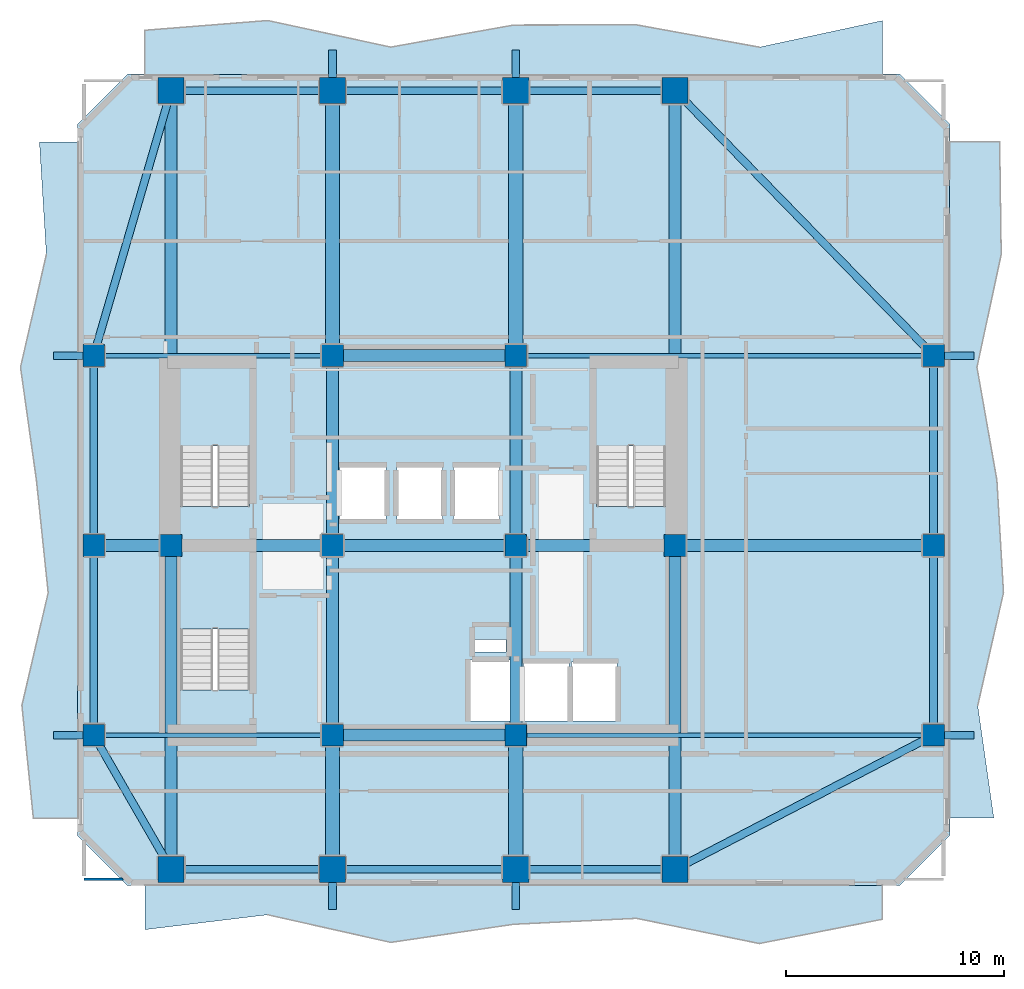
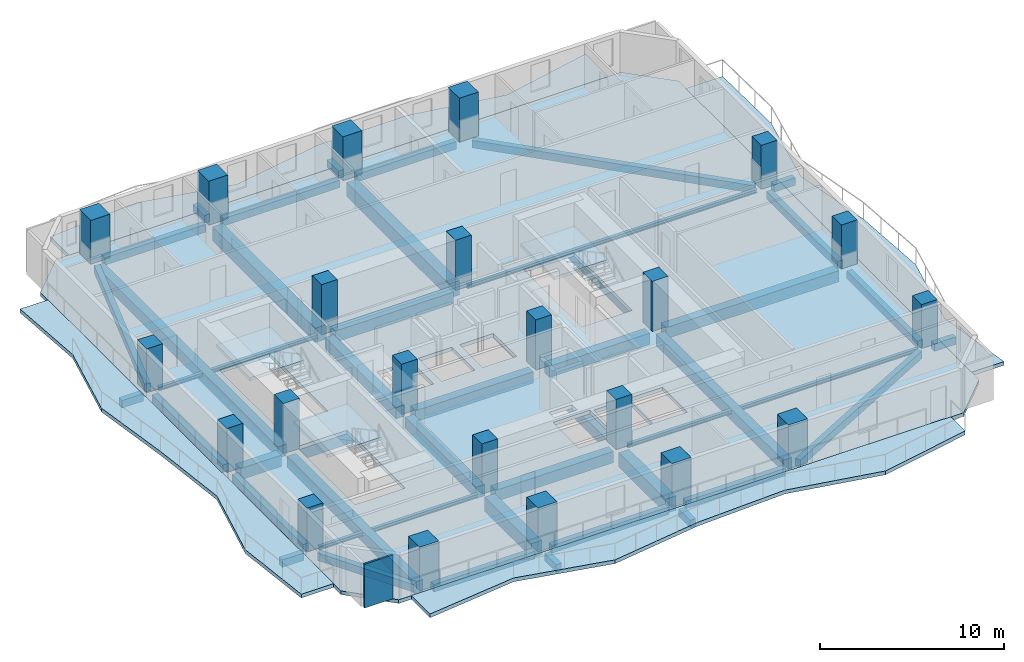
# One storey, part 1 of 9: 45 beams, 22 columns, 8 slabs, 1 wall, 3 elements without a shape of their own.
"""IFC4 building model written with IfcOpenShell, lengths in metres."""

import ifcopenshell
import ifcopenshell.guid

model = None  # the IFC model being written
_history = None  # IfcOwnerHistory: only IFC2X3 demands one
_inside = {}  # id of a spatial element -> (the spatial element, [elements in it])
_under = {}  # id of a project, library or spatial element -> (it, [spatial elements below it])
_declared = {}  # id of a project -> (the project, [libraries it declares])
_typed = {}  # id of a type object -> (the type object, [elements of that type])
_made_of = {}  # id of a material, layer set ... -> (it, [elements and type objects made of it])


def new_model(schema):
    """Start an empty IFC model of exactly this schema.

    Asked for "IFC4X3", IfcOpenShell would pick the latest addendum, in which some entities
    have other attributes; the version numbers below select the first issue.
    IFC2X3 requires an IfcOwnerHistory on every rooted entity: one is made here for all.
    """
    global model, _history
    if schema == "IFC4X3":
        model = ifcopenshell.file(schema_version=(4, 3, 0, 0))
    else:
        model = ifcopenshell.file(schema=schema)
    _inside.clear()
    _under.clear()
    _declared.clear()
    _typed.clear()
    _made_of.clear()
    _history = None
    if model.schema == "IFC2X3":
        org = make("IfcOrganization", Name="unknown")
        user = make(
            "IfcPersonAndOrganization",
            ThePerson=make("IfcPerson", FamilyName="unknown"),
            TheOrganization=org,
        )
        app = make(
            "IfcApplication",
            ApplicationDeveloper=org,
            Version="unknown",
            ApplicationFullName="unknown",
            ApplicationIdentifier="unknown",
        )
        _history = make(
            "IfcOwnerHistory",
            OwningUser=user,
            OwningApplication=app,
            ChangeAction="ADDED",
            CreationDate=0,
        )
    return model


def make(cls, **values):
    """One entity of the class cls with the attributes given. An attribute that is None is left unset."""
    return model.create_entity(
        cls, **{name: value for name, value in values.items() if value is not None}
    )


def rooted(cls, **values):
    """An entity with a GlobalId (a new one), such as an element, a storey or a relation."""
    return make(cls, GlobalId=ifcopenshell.guid.new(), OwnerHistory=_history, **values)


def si_unit(unit_type, name, prefix=None):
    """IfcSIUnit, for example si_unit("LENGTHUNIT", "METRE", prefix="MILLI")."""
    return make("IfcSIUnit", UnitType=unit_type, Prefix=prefix, Name=name)


def assignment(units):
    """IfcUnitAssignment: the units of a project."""
    return None if units is None else make("IfcUnitAssignment", Units=units)


def point(xyz):
    """IfcCartesianPoint."""
    return None if xyz is None else make("IfcCartesianPoint", Coordinates=xyz)


def direction(xyz):
    """IfcDirection."""
    return None if xyz is None else make("IfcDirection", DirectionRatios=xyz)


def frame(location, z_axis=None, x_axis=None):
    """IfcAxis2Placement3D, a coordinate frame: its origin and axes. An axis left out is left unset."""
    return make(
        "IfcAxis2Placement3D",
        Location=point(location),
        Axis=direction(z_axis),
        RefDirection=direction(x_axis),
    )


def frame_2d(location, x_axis=None):
    """IfcAxis2Placement2D, a coordinate frame in the plane: its origin and x axis."""
    return make(
        "IfcAxis2Placement2D", Location=point(location), RefDirection=direction(x_axis)
    )


def origin():
    """The frame at (0, 0, 0) with its axes left unset."""
    return frame((0.0, 0.0, 0.0))


def origin_2d():
    """The frame at (0, 0) in the plane with its x axis left unset."""
    return frame_2d((0.0, 0.0))


def place(relative_to, where):
    """IfcLocalPlacement: puts the frame where relative to a parent placement (None: the world)."""
    return make(
        "IfcLocalPlacement", PlacementRelTo=relative_to, RelativePlacement=where
    )


def context(
    kind, dimensions, precision=None, world=None, true_north=None, identifier=None
):
    """IfcGeometricRepresentationContext, for example the 3D "Model" context."""
    return make(
        "IfcGeometricRepresentationContext",
        ContextIdentifier=identifier,
        ContextType=kind,
        CoordinateSpaceDimension=dimensions,
        Precision=precision,
        WorldCoordinateSystem=world,
        TrueNorth=true_north,
    )


def subcontext(parent, identifier, kind, view, scale=None):
    """IfcGeometricRepresentationSubContext, for example "Body" below "Model"."""
    return make(
        "IfcGeometricRepresentationSubContext",
        ContextIdentifier=identifier,
        ContextType=kind,
        ParentContext=parent,
        TargetScale=scale,
        TargetView=view,
    )


def project(units=None, contexts=None):
    """IfcProject with its units and contexts."""
    return rooted(
        "IfcProject",
        Name="project",
        RepresentationContexts=contexts,
        UnitsInContext=assignment(units),
    )


def spatial(cls, under=None, at=None, **own):
    """A site, building, storey or space (cls), placed at a placement, below another one or the project."""
    s = rooted(cls, ObjectPlacement=at, **own)
    if under is not None:
        _under.setdefault(under.id(), (under, []))[1].append(s)
    return s


def polyline(points):
    """IfcPolyline through the points."""
    return make("IfcPolyline", Points=[point(p) for p in points])


def profile(cls, at=None, kind="AREA", **sizes):
    """A parametric profile (cls). Its sizes go by their IFC names, for example OverallWidth=200.0."""
    return make(cls, ProfileType=kind, Position=at, **sizes)


def rectangle(**sizes):
    """IfcRectangleProfileDef."""
    return profile("IfcRectangleProfileDef", **sizes)


def i_section(**sizes):
    """IfcIShapeProfileDef."""
    return profile("IfcIShapeProfileDef", **sizes)


def outline(outer, holes=None, kind="AREA"):
    """IfcArbitraryClosedProfileDef: a profile drawn as a closed curve; with holes, ...WithVoids."""
    if holes is None:
        return make("IfcArbitraryClosedProfileDef", ProfileType=kind, OuterCurve=outer)
    return make(
        "IfcArbitraryProfileDefWithVoids",
        ProfileType=kind,
        OuterCurve=outer,
        InnerCurves=holes,
    )


def extrude(swept, where, along, depth):
    """IfcExtrudedAreaSolid: the profile swept, set in the frame where, extruded along a direction by depth."""
    return make(
        "IfcExtrudedAreaSolid",
        SweptArea=swept,
        Position=where,
        ExtrudedDirection=direction(along),
        Depth=depth,
    )


def shape(context_of_items, identifier, shape_type, items):
    """IfcShapeRepresentation: the items that make up one representation, for example the "Body"."""
    return make(
        "IfcShapeRepresentation",
        ContextOfItems=context_of_items,
        RepresentationIdentifier=identifier,
        RepresentationType=shape_type,
        Items=items,
    )


def material(Name=None, Category=None):
    """IfcMaterial."""
    return make("IfcMaterial", Name=Name, Category=Category)


def layer(
    of_material, thickness, ventilated=None, Name=None, Category=None, Priority=None
):
    """IfcMaterialLayer: one layer of a wall or slab, of a material (None: an air gap)."""
    return make(
        "IfcMaterialLayer",
        Material=of_material,
        LayerThickness=thickness,
        IsVentilated=ventilated,
        Name=Name,
        Category=Category,
        Priority=Priority,
    )


def layer_set(layers, Name=None):
    """IfcMaterialLayerSet."""
    return make("IfcMaterialLayerSet", MaterialLayers=layers, LayerSetName=Name)


def material_profile(
    of_material, cross_section, Name=None, Category=None, Priority=None
):
    """IfcMaterialProfile: a cross section and its material."""
    return make(
        "IfcMaterialProfile",
        Name=Name,
        Material=of_material,
        Profile=cross_section,
        Priority=Priority,
        Category=Category,
    )


def profile_set(profiles, Name=None, composite=None):
    """IfcMaterialProfileSet."""
    return make(
        "IfcMaterialProfileSet",
        Name=Name,
        MaterialProfiles=profiles,
        CompositeProfile=composite,
    )


def made_of(thing, what):
    """Note that an element or type object is made of a material, layer set ...; save() writes the relation."""
    if what is not None:
        _made_of.setdefault(what.id(), (what, []))[1].append(thing)
    return thing


def type_object(cls, material=None, **own):
    """A type object (cls), such as IfcWallType, which elements share."""
    return made_of(rooted(cls, **own), material)


def element(
    cls,
    number,
    at=None,
    inside=None,
    cuts=None,
    type_object=None,
    material=None,
    context=None,
    identifier="Body",
    shape_type=None,
    held_by="IfcProductDefinitionShape",
    body=None,
    shapes=None,
    **own,
):
    """One element of the class cls, such as IfcWall. Its Tag is "e" and its number.

    at: its placement. inside: the storey or other place that contains it. cuts: it is an
    opening in that element (IfcRelVoidsElement). A single representation is given by context,
    identifier, shape_type and body (its items); several are given by shapes. held_by: the class
    of the entity that holds the representations. save() writes the other relations.
    """
    e = rooted(cls, Tag="e%d" % number, ObjectPlacement=at, **own)
    if body is not None:
        shapes = [shape(context, identifier, shape_type, body)]
    if shapes is not None:
        e.Representation = make(held_by, Representations=shapes)
    if inside is not None:
        _inside.setdefault(inside.id(), (inside, []))[1].append(e)
    if cuts is not None:
        rooted(
            "IfcRelVoidsElement", RelatingBuildingElement=cuts, RelatedOpeningElement=e
        )
    if type_object is not None:
        _typed.setdefault(type_object.id(), (type_object, []))[1].append(e)
    return made_of(e, material)


def aggregate(whole, parts):
    """IfcRelAggregates: a whole, such as a stair, and the parts it consists of."""
    return rooted("IfcRelAggregates", RelatingObject=whole, RelatedObjects=parts)


def save(model, path):
    """Write the relations noted so far, then the file.

    IfcRelAggregates (storeys below a building ...), IfcRelContainedInSpatialStructure (elements
    in a storey), IfcRelDefinesByType, IfcRelAssociatesMaterial and IfcRelDeclares: one each for
    every whole, place, type object, material and project.
    """
    for whole, parts in _under.values():
        aggregate(whole, parts)
    for where, things in _inside.values():
        rooted(
            "IfcRelContainedInSpatialStructure",
            RelatedElements=things,
            RelatingStructure=where,
        )
    for kind, things in _typed.values():
        rooted("IfcRelDefinesByType", RelatedObjects=things, RelatingType=kind)
    for what, things in _made_of.values():
        rooted("IfcRelAssociatesMaterial", RelatedObjects=things, RelatingMaterial=what)
    for by, libraries in _declared.values():
        rooted("IfcRelDeclares", RelatingContext=by, RelatedDefinitions=libraries)
    model.write(path)


model = new_model("IFC4")

# Units and contexts
model_context = context("Model", 3, precision=1e-05, world=origin(), true_north=direction((0.0, 1.0)))
body_context = subcontext(model_context, "Body", "Model", "MODEL_VIEW")
ifc_project = project(units=[si_unit("LENGTHUNIT", "METRE"), si_unit("AREAUNIT", "SQUARE_METRE"), si_unit("VOLUMEUNIT", "CUBIC_METRE"), si_unit("PLANEANGLEUNIT", "RADIAN"), si_unit("MASSUNIT", "GRAM", prefix="KILO")], contexts=[model_context])

# Site, building, storey
site_placement = place(None, origin())
site = spatial("IfcSite", under=ifc_project, at=site_placement, CompositionType="ELEMENT")
building_placement = place(site_placement, origin())
building = spatial("IfcBuilding", under=site, at=building_placement, Name="Solanera Arch Residences", CompositionType="ELEMENT")
storey_placement = place(building_placement, frame((0.0, 0.0, 162.52001953125)))
storey = spatial("IfcBuildingStorey", under=building, at=storey_placement, Name="L47", CompositionType="ELEMENT", Elevation=162.52001953125)

# Columns
ifc_material_1 = material(Name="Concrete C55/67 (f'c = 60 MPa)", Category="concrete")
ifc_material_profile_1 = material_profile(ifc_material_1, rectangle(XDim=1.0, YDim=1.0, at=origin_2d()))
ifc_profile_set_1 = profile_set([ifc_material_profile_1], Name="Concrete C55/67 (f'c = 60 MPa)")
column_type_1 = type_object("IfcColumnType", Name="Structural Column RC-COL-1000X1000", PredefinedType="COLUMN", material=ifc_profile_set_1)
for number, where, z_axis, x_axis, name in (
    (1, (20.800048828125, 22.0, 0.0), (0.0, 0.0, 1.0), (1.0, 0.0, 0.0), "COL-L47-CB-SW"),
    (2, (29.199951171875, 22.0, 0.0), (0.0, 0.0, 1.0), (1.0, 0.0, 0.0), "COL-L47-CB-SE"),
    (3, (20.800048828125, 39.39990234375, 0.0), (0.0, 0.0, 1.0), (1.0, 0.0, 0.0), "COL-L47-CB-NW"),
    (4, (29.199951171875, 39.39990234375, 0.0), (0.0, 0.0, 1.0), (1.0, 0.0, 0.0), "COL-L47-CB-NE"),
    (5, (13.39990234375, 30.699951171875, 0.0), (0.0, 0.0, 1.0), (1.0, 0.0, 0.0), "COL-L47-CB-WW"),
    (6, (36.5, 30.699951171875, 0.0), (0.0, 0.0, 1.0), (1.0, 0.0, 0.0), "COL-L47-CB-EE"),
    (7, (20.800048828125, 30.699951171875, 0.0), (0.0, 0.0, 1.0), (1.0, 0.0, 0.0), "COL-L47-CORE-W"),
    (8, (29.199951171875, 30.699951171875, 0.0), (0.0, 0.0, 1.0), (1.0, 0.0, 0.0), "COL-L47-CORE-E"),
):
    element("IfcColumn", number, at=place(storey_placement, frame(where, z_axis=z_axis, x_axis=x_axis)), inside=storey, type_object=column_type_1, Name=name, PredefinedType="COLUMN", context=body_context, shape_type="SweptSolid", body=[
        extrude(rectangle(XDim=1.0, YDim=1.0, at=origin_2d()), origin(), (0.0, 0.0, 1.0), 3.320068359375),
    ])
for number, where, z_axis, x_axis, name in (
    (9, (9.85009765625, 22.0, 0.0), (0.0, 0.0, 1.0), (1.0, 0.0, 0.0), "COL-L47-TWR-09"),
    (10, (48.35009765625, 22.0, 0.0), (0.0, 0.0, 1.0), (1.0, 0.0, 0.0), "COL-L47-TWR-10"),
    (11, (9.85009765625, 30.699951171875, 0.0), (0.0, 0.0, 1.0), (1.0, 0.0, 0.0), "COL-L47-TWR-11"),
    (12, (48.35009765625, 30.699951171875, 0.0), (0.0, 0.0, 1.0), (1.0, 0.0, 0.0), "COL-L47-TWR-12"),
    (13, (9.85009765625, 39.39990234375, 0.0), (0.0, 0.0, 1.0), (1.0, 0.0, 0.0), "COL-L47-TWR-13"),
    (14, (48.35009765625, 39.39990234375, 0.0), (0.0, 0.0, 1.0), (1.0, 0.0, 0.0), "COL-L47-TWR-14"),
):
    element("IfcColumn", number, at=place(storey_placement, frame(where, z_axis=z_axis, x_axis=x_axis)), inside=storey, type_object=column_type_1, Name=name, PredefinedType="COLUMN", context=body_context, shape_type="SweptSolid", body=[
        extrude(rectangle(XDim=1.0, YDim=1.0, at=origin_2d()), origin(), (0.0, 0.0, 1.0), 2.89990234375),
    ])
ifc_material_2 = material(Name="Concrete C55/67 (f'c = 60 MPa)", Category="concrete")
ifc_material_profile_2 = material_profile(ifc_material_2, rectangle(XDim=1.199951171875, YDim=1.199951171875, at=origin_2d()))
ifc_profile_set_2 = profile_set([ifc_material_profile_2], Name="Concrete C55/67 (f'c = 60 MPa)")
column_type_2 = type_object("IfcColumnType", Name="Structural Column RC-COL-1200X1200", PredefinedType="COLUMN", material=ifc_profile_set_2)
for number, where, z_axis, x_axis, name in (
    (15, (13.39990234375, 15.85009765625, 0.0), (0.0, 0.0, 1.0), (1.0, 0.0, 0.0), "COL-L47-TWR-01"),
    (16, (13.39990234375, 51.550048828125, 0.0), (0.0, 0.0, 1.0), (1.0, 0.0, 0.0), "COL-L47-TWR-02"),
    (17, (20.800048828125, 15.85009765625, 0.0), (0.0, 0.0, 1.0), (1.0, 0.0, 0.0), "COL-L47-TWR-03"),
    (18, (20.800048828125, 51.550048828125, 0.0), (0.0, 0.0, 1.0), (1.0, 0.0, 0.0), "COL-L47-TWR-04"),
    (19, (29.199951171875, 15.85009765625, 0.0), (0.0, 0.0, 1.0), (1.0, 0.0, 0.0), "COL-L47-TWR-05"),
    (20, (29.199951171875, 51.550048828125, 0.0), (0.0, 0.0, 1.0), (1.0, 0.0, 0.0), "COL-L47-TWR-06"),
    (21, (36.5, 15.85009765625, 0.0), (0.0, 0.0, 1.0), (1.0, 0.0, 0.0), "COL-L47-TWR-07"),
    (22, (36.5, 51.550048828125, 0.0), (0.0, 0.0, 1.0), (1.0, 0.0, 0.0), "COL-L47-TWR-08"),
):
    element("IfcColumn", number, at=place(storey_placement, frame(where, z_axis=z_axis, x_axis=x_axis)), inside=storey, type_object=column_type_2, Name=name, PredefinedType="COLUMN", context=body_context, shape_type="SweptSolid", body=[
        extrude(rectangle(XDim=1.199951171875, YDim=1.199951171875, at=origin_2d()), origin(), (0.0, 0.0, 1.0), 2.89990234375),
    ])

# Beams
ifc_material_3 = material(Name="Concrete C40/50 (f'c = 45 MPa)", Category="concrete")
ifc_material_profile_3 = material_profile(ifc_material_3, rectangle(XDim=0.35009765625, YDim=0.5, at=origin_2d()))
ifc_profile_set_3 = profile_set([ifc_material_profile_3], Name="Concrete C40/50 (f'c = 45 MPa)")
beam_type_1 = type_object("IfcBeamType", Name="BM-BALC-RIB", PredefinedType="BEAM", material=ifc_profile_set_3)
for number, where, z_axis, x_axis, name in (
    (23, (20.800048828125, 14.0, -0.5), (0.0, 1.0, 0.0), (-1.0, 0.0, 0.0), "BM-L47-BRIB-S1"),
    (24, (29.199951171875, 14.0, -0.5), (0.0, 1.0, 0.0), (-1.0, 0.0, 0.0), "BM-L47-BRIB-S2"),
    (25, (20.800048828125, 52.14990234375, -0.5), (0.0, 1.0, 0.0), (-1.0, 0.0, 0.0), "BM-L47-BRIB-N1"),
    (26, (29.199951171875, 52.14990234375, -0.5), (0.0, 1.0, 0.0), (-1.0, 0.0, 0.0), "BM-L47-BRIB-N2"),
):
    element("IfcBeam", number, at=place(storey_placement, frame(where, z_axis=z_axis, x_axis=x_axis)), inside=storey, type_object=beam_type_1, Name=name, PredefinedType="BEAM", context=body_context, shape_type="SweptSolid", body=[
        extrude(rectangle(XDim=0.35009765625, YDim=0.5, at=origin_2d()), origin(), (0.0, 0.0, 1.0), 1.25),
    ])
for number, where, z_axis, x_axis, name in (
    (27, (48.85009765625, 22.0, -0.5), (1.0, 0.0, 0.0), (0.0, 1.0, 0.0), "BM-L47-BRIB-E1"),
    (28, (48.85009765625, 39.39990234375, -0.5), (1.0, 0.0, 0.0), (0.0, 1.0, 0.0), "BM-L47-BRIB-E2"),
):
    element("IfcBeam", number, at=place(storey_placement, frame(where, z_axis=z_axis, x_axis=x_axis)), inside=storey, type_object=beam_type_1, Name=name, PredefinedType="BEAM", context=body_context, shape_type="SweptSolid", body=[
        extrude(rectangle(XDim=0.35009765625, YDim=0.5, at=origin_2d()), origin(), (0.0, 0.0, 1.0), 1.349853515625),
    ])
for number, where, z_axis, x_axis, name in (
    (29, (8.0, 22.0, -0.5), (1.0, 0.0, 0.0), (0.0, 1.0, 0.0), "BM-L47-BRIB-W1"),
    (30, (8.0, 39.39990234375, -0.5), (1.0, 0.0, 0.0), (0.0, 1.0, 0.0), "BM-L47-BRIB-W2"),
):
    element("IfcBeam", number, at=place(storey_placement, frame(where, z_axis=z_axis, x_axis=x_axis)), inside=storey, type_object=beam_type_1, Name=name, PredefinedType="BEAM", context=body_context, shape_type="SweptSolid", body=[
        extrude(rectangle(XDim=0.35009765625, YDim=0.5, at=origin_2d()), origin(), (0.0, 0.0, 1.0), 1.35009765625),
    ])
ifc_material_4 = material(Name="Concrete C40/50 (f'c = 45 MPa)", Category="concrete")
ifc_material_profile_4 = material_profile(ifc_material_4, rectangle(XDim=0.550048828125, YDim=0.75, at=origin_2d()))
ifc_profile_set_4 = profile_set([ifc_material_profile_4], Name="Concrete C40/50 (f'c = 45 MPa)")
beam_type_2 = type_object("IfcBeamType", Name="Primary Beam RC-BM-550X750", PredefinedType="BEAM", material=ifc_profile_set_4)
beam_1_placement = place(storey_placement, frame((20.800048828125, 22.50390625, -0.614990234375), z_axis=(0.0, 1.0, 0.0), x_axis=(-1.0, 0.0, 0.0)))
element("IfcBeam", 31, at=beam_1_placement, inside=storey, type_object=beam_type_2, Name="BM-L47-CC-S-208", PredefinedType="BEAM", context=body_context, shape_type="SweptSolid", body=[
    extrude(rectangle(XDim=0.550048828125, YDim=0.75, at=origin_2d()), origin(), (0.0, 0.0, 1.0), 7.692138671875),
])
beam_2_placement = place(storey_placement, frame((20.800048828125, 31.2041015625, -0.614990234375), z_axis=(0.0, 1.0, 0.0), x_axis=(-1.0, 0.0, 0.0)))
element("IfcBeam", 32, at=beam_2_placement, inside=storey, type_object=beam_type_2, Name="BM-L47-CC-N-208", PredefinedType="BEAM", context=body_context, shape_type="SweptSolid", body=[
    extrude(rectangle(XDim=0.550048828125, YDim=0.75, at=origin_2d()), origin(), (0.0, 0.0, 1.0), 7.69189453125),
])
beam_3_placement = place(storey_placement, frame((29.199951171875, 22.50390625, -0.614990234375), z_axis=(0.0, 1.0, 0.0), x_axis=(-1.0, 0.0, 0.0)))
element("IfcBeam", 33, at=beam_3_placement, inside=storey, type_object=beam_type_2, Name="BM-L47-CC-S-292", PredefinedType="BEAM", context=body_context, shape_type="SweptSolid", body=[
    extrude(rectangle(XDim=0.550048828125, YDim=0.75, at=origin_2d()), origin(), (0.0, 0.0, 1.0), 7.692138671875),
])
beam_4_placement = place(storey_placement, frame((29.199951171875, 31.2041015625, -0.614990234375), z_axis=(0.0, 1.0, 0.0), x_axis=(-1.0, 0.0, 0.0)))
element("IfcBeam", 34, at=beam_4_placement, inside=storey, type_object=beam_type_2, Name="BM-L47-CC-N-292", PredefinedType="BEAM", context=body_context, shape_type="SweptSolid", body=[
    extrude(rectangle(XDim=0.550048828125, YDim=0.75, at=origin_2d()), origin(), (0.0, 0.0, 1.0), 7.69189453125),
])
for number, where, z_axis, x_axis, name in (
    (35, (21.303955078125, 22.0, -0.614990234375), (1.0, 0.0, 0.0), (0.0, 1.0, 0.0), "BM-L47-CC-M-220"),
    (36, (21.303955078125, 30.699951171875, -0.614990234375), (1.0, 0.0, 0.0), (0.0, 1.0, 0.0), "BM-L47-CC-M-307"),
    (37, (21.303955078125, 39.39990234375, -0.614990234375), (1.0, 0.0, 0.0), (0.0, 1.0, 0.0), "BM-L47-CC-M-394"),
):
    element("IfcBeam", number, at=place(storey_placement, frame(where, z_axis=z_axis, x_axis=x_axis)), inside=storey, type_object=beam_type_2, Name=name, PredefinedType="BEAM", context=body_context, shape_type="SweptSolid", body=[
        extrude(rectangle(XDim=0.550048828125, YDim=0.75, at=origin_2d()), origin(), (0.0, 0.0, 1.0), 7.39208984375),
    ])
beam_5_placement = place(storey_placement, frame((13.904052734375, 30.699951171875, -0.614990234375), z_axis=(1.0, 0.0, 0.0), x_axis=(0.0, 1.0, 0.0)))
element("IfcBeam", 38, at=beam_5_placement, inside=storey, type_object=beam_type_2, Name="BM-L47-CC-W", PredefinedType="BEAM", context=body_context, shape_type="SweptSolid", body=[
    extrude(rectangle(XDim=0.550048828125, YDim=0.75, at=origin_2d()), origin(), (0.0, 0.0, 1.0), 6.391845703125),
])
beam_6_placement = place(storey_placement, frame((29.7041015625, 30.699951171875, -0.614990234375), z_axis=(1.0, 0.0, 0.0), x_axis=(0.0, 1.0, 0.0)))
element("IfcBeam", 39, at=beam_6_placement, inside=storey, type_object=beam_type_2, Name="BM-L47-CC-E", PredefinedType="BEAM", context=body_context, shape_type="SweptSolid", body=[
    extrude(rectangle(XDim=0.550048828125, YDim=0.75, at=origin_2d()), origin(), (0.0, 0.0, 1.0), 6.2919921875),
])
beam_7_placement = place(storey_placement, frame((13.39990234375, 16.389892578125, -0.614990234375), z_axis=(0.0, 1.0, 0.0), x_axis=(-1.0, 0.0, 0.0)))
element("IfcBeam", 40, at=beam_7_placement, inside=storey, type_object=beam_type_2, Name="BM-L47-RAD-OS-134", PredefinedType="BEAM", context=body_context, shape_type="SweptSolid", body=[
    extrude(rectangle(XDim=0.550048828125, YDim=0.75, at=origin_2d()), origin(), (0.0, 0.0, 1.0), 13.80615234375),
])
beam_8_placement = place(storey_placement, frame((13.39990234375, 31.2041015625, -0.614990234375), z_axis=(0.0, 1.0, 0.0), x_axis=(-1.0, 0.0, 0.0)))
element("IfcBeam", 41, at=beam_8_placement, inside=storey, type_object=beam_type_2, Name="BM-L47-RAD-ON-134", PredefinedType="BEAM", context=body_context, shape_type="SweptSolid", body=[
    extrude(rectangle(XDim=0.550048828125, YDim=0.75, at=origin_2d()), origin(), (0.0, 0.0, 1.0), 19.805908203125),
])
beam_9_placement = place(storey_placement, frame((36.5, 16.389892578125, -0.614990234375), z_axis=(0.0, 1.0, 0.0), x_axis=(-1.0, 0.0, 0.0)))
element("IfcBeam", 42, at=beam_9_placement, inside=storey, type_object=beam_type_2, Name="BM-L47-RAD-OS-365", PredefinedType="BEAM", context=body_context, shape_type="SweptSolid", body=[
    extrude(rectangle(XDim=0.550048828125, YDim=0.75, at=origin_2d()), origin(), (0.0, 0.0, 1.0), 13.80615234375),
])
beam_10_placement = place(storey_placement, frame((36.5, 31.2041015625, -0.614990234375), z_axis=(0.0, 1.0, 0.0), x_axis=(-1.0, 0.0, 0.0)))
element("IfcBeam", 43, at=beam_10_placement, inside=storey, type_object=beam_type_2, Name="BM-L47-RAD-ON-365", PredefinedType="BEAM", context=body_context, shape_type="SweptSolid", body=[
    extrude(rectangle(XDim=0.550048828125, YDim=0.75, at=origin_2d()), origin(), (0.0, 0.0, 1.0), 19.805908203125),
])
beam_11_placement = place(storey_placement, frame((10.35400390625, 30.699951171875, -0.614990234375), z_axis=(1.0, 0.0, 0.0), x_axis=(0.0, 1.0, 0.0)))
element("IfcBeam", 44, at=beam_11_placement, inside=storey, type_object=beam_type_2, Name="BM-L47-RAD-MW", PredefinedType="BEAM", context=body_context, shape_type="SweptSolid", body=[
    extrude(rectangle(XDim=0.550048828125, YDim=0.75, at=origin_2d()), origin(), (0.0, 0.0, 1.0), 2.5419921875),
])
beam_12_placement = place(storey_placement, frame((37.00390625, 30.699951171875, -0.614990234375), z_axis=(1.0, 0.0, 0.0), x_axis=(0.0, 1.0, 0.0)))
element("IfcBeam", 45, at=beam_12_placement, inside=storey, type_object=beam_type_2, Name="BM-L47-RAD-ME", PredefinedType="BEAM", context=body_context, shape_type="SweptSolid", body=[
    extrude(rectangle(XDim=0.550048828125, YDim=0.75, at=origin_2d()), origin(), (0.0, 0.0, 1.0), 10.842041015625),
])
ifc_material_5 = material(Name="Concrete C40/50 (f'c = 45 MPa)", Category="concrete")
ifc_material_profile_5 = material_profile(ifc_material_5, rectangle(XDim=0.64990234375, YDim=0.949951171875, at=origin_2d()))
ifc_profile_set_5 = profile_set([ifc_material_profile_5], Name="Concrete C40/50 (f'c = 45 MPa)")
beam_type_3 = type_object("IfcBeamType", Name="Primary Beam RC-BM-650X950", PredefinedType="BEAM", material=ifc_profile_set_5)
beam_13_placement = place(storey_placement, frame((20.800048828125, 16.389892578125, -0.715087890625), z_axis=(0.0, 1.0, 0.0), x_axis=(-1.0, 0.0, 0.0)))
element("IfcBeam", 46, at=beam_13_placement, inside=storey, type_object=beam_type_3, Name="BM-L47-RAD-S-208", PredefinedType="BEAM", context=body_context, shape_type="SweptSolid", body=[
    extrude(rectangle(XDim=0.64990234375, YDim=0.949951171875, at=origin_2d()), origin(), (0.0, 0.0, 1.0), 5.106201171875),
])
beam_14_placement = place(storey_placement, frame((20.800048828125, 39.904052734375, -0.715087890625), z_axis=(0.0, 1.0, 0.0), x_axis=(-1.0, 0.0, 0.0)))
element("IfcBeam", 47, at=beam_14_placement, inside=storey, type_object=beam_type_3, Name="BM-L47-RAD-N-208", PredefinedType="BEAM", context=body_context, shape_type="SweptSolid", body=[
    extrude(rectangle(XDim=0.64990234375, YDim=0.949951171875, at=origin_2d()), origin(), (0.0, 0.0, 1.0), 11.10595703125),
])
beam_15_placement = place(storey_placement, frame((29.199951171875, 16.389892578125, -0.715087890625), z_axis=(0.0, 1.0, 0.0), x_axis=(-1.0, 0.0, 0.0)))
element("IfcBeam", 48, at=beam_15_placement, inside=storey, type_object=beam_type_3, Name="BM-L47-RAD-S-292", PredefinedType="BEAM", context=body_context, shape_type="SweptSolid", body=[
    extrude(rectangle(XDim=0.64990234375, YDim=0.949951171875, at=origin_2d()), origin(), (0.0, 0.0, 1.0), 5.106201171875),
])
beam_16_placement = place(storey_placement, frame((29.199951171875, 39.904052734375, -0.715087890625), z_axis=(0.0, 1.0, 0.0), x_axis=(-1.0, 0.0, 0.0)))
element("IfcBeam", 49, at=beam_16_placement, inside=storey, type_object=beam_type_3, Name="BM-L47-RAD-N-292", PredefinedType="BEAM", context=body_context, shape_type="SweptSolid", body=[
    extrude(rectangle(XDim=0.64990234375, YDim=0.949951171875, at=origin_2d()), origin(), (0.0, 0.0, 1.0), 11.10595703125),
])
ifc_material_6 = material(Name="Steel S355 (ASTM A992 / A572 Grade 50)", Category="steel")
ifc_material_profile_6 = material_profile(ifc_material_6, i_section(OverallWidth=0.201904296875, OverallDepth=0.2470703125, WebThickness=0.00732421875, FlangeThickness=0.010986328125, at=origin_2d()))
ifc_profile_set_6 = profile_set([ifc_material_profile_6], Name="Steel S355 (ASTM A992 / A572 Grade 50)")
beam_type_4 = type_object("IfcBeamType", Name="Secondary Joist W250X49.1", PredefinedType="JOIST", material=ifc_profile_set_6)
beam_17_placement = place(storey_placement, frame((10.35400390625, 22.0, -0.364013671875), z_axis=(1.0, 0.0, 0.0), x_axis=(0.0, 1.0, 0.0)))
element("IfcBeam", 50, at=beam_17_placement, inside=storey, type_object=beam_type_4, Name="BM-L47-RAD-W-220", PredefinedType="JOIST", context=body_context, shape_type="SweptSolid", body=[
    extrude(i_section(OverallWidth=0.201904296875, OverallDepth=0.2470703125, WebThickness=0.00732421875, FlangeThickness=0.010986328125, at=origin_2d()), origin(), (0.0, 0.0, 1.0), 9.94189453125),
])
beam_18_placement = place(storey_placement, frame((29.7041015625, 22.0, -0.364013671875), z_axis=(1.0, 0.0, 0.0), x_axis=(0.0, 1.0, 0.0)))
element("IfcBeam", 51, at=beam_18_placement, inside=storey, type_object=beam_type_4, Name="BM-L47-RAD-E-220", PredefinedType="JOIST", context=body_context, shape_type="SweptSolid", body=[
    extrude(i_section(OverallWidth=0.201904296875, OverallDepth=0.2470703125, WebThickness=0.00732421875, FlangeThickness=0.010986328125, at=origin_2d()), origin(), (0.0, 0.0, 1.0), 18.141845703125),
])
beam_19_placement = place(storey_placement, frame((10.35400390625, 39.39990234375, -0.364013671875), z_axis=(1.0, 0.0, 0.0), x_axis=(0.0, 1.0, 0.0)))
element("IfcBeam", 52, at=beam_19_placement, inside=storey, type_object=beam_type_4, Name="BM-L47-RAD-W-394", PredefinedType="JOIST", context=body_context, shape_type="SweptSolid", body=[
    extrude(i_section(OverallWidth=0.201904296875, OverallDepth=0.2470703125, WebThickness=0.00732421875, FlangeThickness=0.010986328125, at=origin_2d()), origin(), (0.0, 0.0, 1.0), 9.94189453125),
])
beam_20_placement = place(storey_placement, frame((29.7041015625, 39.39990234375, -0.364013671875), z_axis=(1.0, 0.0, 0.0), x_axis=(0.0, 1.0, 0.0)))
element("IfcBeam", 53, at=beam_20_placement, inside=storey, type_object=beam_type_4, Name="BM-L47-RAD-E-394", PredefinedType="JOIST", context=body_context, shape_type="SweptSolid", body=[
    extrude(i_section(OverallWidth=0.201904296875, OverallDepth=0.2470703125, WebThickness=0.00732421875, FlangeThickness=0.010986328125, at=origin_2d()), origin(), (0.0, 0.0, 1.0), 18.141845703125),
])
ifc_material_7 = material(Name="Concrete C40/50 (f'c = 45 MPa)", Category="concrete")
ifc_material_profile_7 = material_profile(ifc_material_7, rectangle(XDim=0.35009765625, YDim=0.5, at=origin_2d()))
ifc_profile_set_7 = profile_set([ifc_material_profile_7], Name="Concrete C40/50 (f'c = 45 MPa)")
beam_type_5 = type_object("IfcBeamType", Name="Spandrel Beam RC-BM-350X500", PredefinedType="SPANDREL", material=ifc_profile_set_7)
for number, where, z_axis, x_axis, name in (
    (54, (13.93994140625, 15.85009765625, -0.489990234375), (1.0, 0.0, 0.0), (0.0, 1.0, 0.0), "BM-L47-SPN-S-1"),
    (55, (13.93994140625, 51.550048828125, -0.489990234375), (1.0, 0.0, 0.0), (0.0, 1.0, 0.0), "BM-L47-SPN-N-1"),
):
    element("IfcBeam", number, at=place(storey_placement, frame(where, z_axis=z_axis, x_axis=x_axis)), inside=storey, type_object=beam_type_5, Name=name, PredefinedType="SPANDREL", context=body_context, shape_type="SweptSolid", body=[
        extrude(rectangle(XDim=0.35009765625, YDim=0.5, at=origin_2d()), origin(), (0.0, 0.0, 1.0), 6.320068359375),
    ])
for number, where, z_axis, x_axis, name in (
    (56, (21.340087890625, 15.85009765625, -0.489990234375), (1.0, 0.0, 0.0), (0.0, 1.0, 0.0), "BM-L47-SPN-S-2"),
    (57, (21.340087890625, 51.550048828125, -0.489990234375), (1.0, 0.0, 0.0), (0.0, 1.0, 0.0), "BM-L47-SPN-N-2"),
):
    element("IfcBeam", number, at=place(storey_placement, frame(where, z_axis=z_axis, x_axis=x_axis)), inside=storey, type_object=beam_type_5, Name=name, PredefinedType="SPANDREL", context=body_context, shape_type="SweptSolid", body=[
        extrude(rectangle(XDim=0.35009765625, YDim=0.5, at=origin_2d()), origin(), (0.0, 0.0, 1.0), 7.31982421875),
    ])
for number, where, z_axis, x_axis, name in (
    (58, (29.739990234375, 15.85009765625, -0.489990234375), (1.0, 0.0, 0.0), (0.0, 1.0, 0.0), "BM-L47-SPN-S-3"),
    (59, (29.739990234375, 51.550048828125, -0.489990234375), (1.0, 0.0, 0.0), (0.0, 1.0, 0.0), "BM-L47-SPN-N-3"),
):
    element("IfcBeam", number, at=place(storey_placement, frame(where, z_axis=z_axis, x_axis=x_axis)), inside=storey, type_object=beam_type_5, Name=name, PredefinedType="SPANDREL", context=body_context, shape_type="SweptSolid", body=[
        extrude(rectangle(XDim=0.35009765625, YDim=0.5, at=origin_2d()), origin(), (0.0, 0.0, 1.0), 6.219970703125),
    ])
for number, where, z_axis, x_axis, name in (
    (60, (9.85009765625, 22.50390625, -0.489990234375), (0.0, 1.0, 0.0), (-1.0, 0.0, 0.0), "BM-L47-SPN-W-1"),
    (61, (48.35009765625, 22.50390625, -0.489990234375), (0.0, 1.0, 0.0), (-1.0, 0.0, 0.0), "BM-L47-SPN-E-1"),
):
    element("IfcBeam", number, at=place(storey_placement, frame(where, z_axis=z_axis, x_axis=x_axis)), inside=storey, type_object=beam_type_5, Name=name, PredefinedType="SPANDREL", context=body_context, shape_type="SweptSolid", body=[
        extrude(rectangle(XDim=0.35009765625, YDim=0.5, at=origin_2d()), origin(), (0.0, 0.0, 1.0), 7.692138671875),
    ])
for number, where, z_axis, x_axis, name in (
    (62, (9.85009765625, 31.2041015625, -0.489990234375), (0.0, 1.0, 0.0), (-1.0, 0.0, 0.0), "BM-L47-SPN-W-2"),
    (63, (48.35009765625, 31.2041015625, -0.489990234375), (0.0, 1.0, 0.0), (-1.0, 0.0, 0.0), "BM-L47-SPN-E-2"),
):
    element("IfcBeam", number, at=place(storey_placement, frame(where, z_axis=z_axis, x_axis=x_axis)), inside=storey, type_object=beam_type_5, Name=name, PredefinedType="SPANDREL", context=body_context, shape_type="SweptSolid", body=[
        extrude(rectangle(XDim=0.35009765625, YDim=0.5, at=origin_2d()), origin(), (0.0, 0.0, 1.0), 7.69189453125),
    ])
beam_21_placement = place(storey_placement, frame((13.1298828125, 16.318115234375, -0.489990234375), z_axis=(-0.499942442997, 0.866058631785, 0.0), x_axis=(-0.866058631785, -0.499942442997, 0.0)))
element("IfcBeam", 64, at=beam_21_placement, inside=storey, type_object=beam_type_5, Name="BM-L47-SPN-SW", PredefinedType="SPANDREL", context=body_context, shape_type="SweptSolid", body=[
    extrude(rectangle(XDim=0.35009765625, YDim=0.5, at=origin_2d()), origin(), (0.0, 0.0, 1.0), 6.020263671875),
])
beam_22_placement = place(storey_placement, frame((13.2490234375, 51.031982421875, -0.489990234375), z_axis=(-0.280501326348, -0.959853637758, 0.0), x_axis=(0.959853637758, -0.280501326348, 0.0)))
element("IfcBeam", 65, at=beam_22_placement, inside=storey, type_object=beam_type_5, Name="BM-L47-SPN-NW", PredefinedType="SPANDREL", context=body_context, shape_type="SweptSolid", body=[
    extrude(rectangle(XDim=0.35009765625, YDim=0.5, at=origin_2d()), origin(), (0.0, 0.0, 1.0), 11.59326171875),
])
beam_23_placement = place(storey_placement, frame((36.97900390625, 16.09912109375, -0.489990234375), z_axis=(0.887617783335, 0.460580797154, 0.0), x_axis=(-0.460580797154, 0.887617783335, 0.0)))
element("IfcBeam", 66, at=beam_23_placement, inside=storey, type_object=beam_type_5, Name="BM-L47-SPN-SE", PredefinedType="SPANDREL", context=body_context, shape_type="SweptSolid", body=[
    extrude(rectangle(XDim=0.35009765625, YDim=0.5, at=origin_2d()), origin(), (0.0, 0.0, 1.0), 12.271240234375),
])
beam_24_placement = place(storey_placement, frame((36.876953125, 51.1630859375, -0.489990234375), z_axis=(0.698241103512, -0.715862669349, 0.0), x_axis=(0.715862669349, 0.698241103512, 0.0)))
element("IfcBeam", 67, at=beam_24_placement, inside=storey, type_object=beam_type_5, Name="BM-L47-SPN-NE", PredefinedType="SPANDREL", context=body_context, shape_type="SweptSolid", body=[
    extrude(rectangle(XDim=0.35009765625, YDim=0.5, at=origin_2d()), origin(), (0.0, 0.0, 1.0), 15.891357421875),
])

# Slabs
ifc_material_8 = material(Name="Concrete C40/50 (f'c = 45 MPa)", Category="concrete")
ifc_layer_1 = layer(ifc_material_8, 0.25)
ifc_layer_set_1 = layer_set([ifc_layer_1], Name="Concrete C40/50 (f'c = 45 MPa)")
slab_type_1 = type_object("IfcSlabType", Name="Balcony Slab 250", PredefinedType="FLOOR", material=ifc_layer_set_1)
slab_1_placement = place(storey_placement, frame((0.0, 0.0, -0.25)))
element("IfcSlab", 68, at=slab_1_placement, inside=storey, type_object=slab_type_1, Name="L47 S Rippling Brise-Soleil Balcony Slab", PredefinedType="FLOOR", context=body_context, shape_type="SweptSolid", body=[
    extrude(outline(polyline([(12.199951171875, 13.0859375), (17.8330078125, 13.77001953125), (23.467041015625, 12.50390625), (29.10009765625, 13.3349609375), (34.73291015625, 13.60693359375), (40.366943359375, 12.450927734375), (46.0, 13.56201171875), (46.0, 15.1201171875), (12.199951171875, 15.1201171875), (12.199951171875, 13.0859375)])), origin(), (0.0, 0.0, 1.0), 0.25),
])
slab_2_placement = place(storey_placement, frame((0.0, 0.0, -0.25)))
element("IfcSlab", 69, at=slab_2_placement, inside=storey, type_object=slab_type_1, Name="L47 N Rippling Brise-Soleil Balcony Slab", PredefinedType="FLOOR", context=body_context, shape_type="SweptSolid", body=[
    extrude(outline(polyline([(46.0, 54.7548828125), (40.366943359375, 53.5400390625), (34.73291015625, 54.56201171875), (29.10009765625, 54.553955078125), (23.467041015625, 53.5419921875), (17.8330078125, 54.760986328125), (12.199951171875, 54.31396484375), (12.199951171875, 52.280029296875), (46.0, 52.280029296875), (46.0, 54.7548828125)])), origin(), (0.0, 0.0, 1.0), 0.25),
])
slab_3_placement = place(storey_placement, frame((0.0, 0.0, -0.25)))
element("IfcSlab", 70, at=slab_3_placement, inside=storey, type_object=slab_type_1, Name="L47 E Rippling Brise-Soleil Balcony Slab", PredefinedType="FLOOR", context=body_context, shape_type="SweptSolid", body=[
    extrude(outline(polyline([(51.114013671875, 18.199951171875), (50.3740234375, 23.366943359375), (51.554931640625, 28.532958984375), (51.2509765625, 33.699951171875), (50.339111328125, 38.866943359375), (51.449951171875, 44.032958984375), (51.37890625, 49.199951171875), (49.080078125, 49.199951171875), (49.080078125, 18.199951171875), (51.114013671875, 18.199951171875)])), origin(), (0.0, 0.0, 1.0), 0.25),
])
slab_4_placement = place(storey_placement, frame((0.0, 0.0, -0.25)))
element("IfcSlab", 71, at=slab_4_placement, inside=storey, type_object=slab_type_1, Name="L47 W Rippling Brise-Soleil Balcony Slab", PredefinedType="FLOOR", context=body_context, shape_type="SweptSolid", body=[
    extrude(outline(polyline([(7.362060546875, 49.199951171875), (7.680908203125, 44.032958984375), (6.4970703125, 38.866943359375), (7.22509765625, 33.699951171875), (7.764892578125, 28.532958984375), (6.56005859375, 23.366943359375), (7.0859375, 18.199951171875), (9.1201171875, 18.199951171875), (9.1201171875, 49.199951171875), (7.362060546875, 49.199951171875)])), origin(), (0.0, 0.0, 1.0), 0.25),
])

# Stair, slab
ifc_material_9 = material(Name="Concrete C40/50 (f'c = 45 MPa)", Category="concrete")
stair_type = type_object("IfcStairType", Name="Tower Dogleg Exit Stair 1480", PredefinedType="HALF_TURN_STAIR", material=ifc_material_9)
stair_1_placement = place(storey_placement, origin())
stair_1 = element("IfcStair", 72, at=stair_1_placement, inside=storey, type_object=stair_type, Name="L47 Tower Core Exit Stair 1", PredefinedType="HALF_TURN_STAIR")
ifc_material_10 = material(Name="Concrete C40/50 (f'c = 45 MPa)", Category="concrete")
ifc_layer_2 = layer(ifc_material_10, 0.199951171875)
ifc_layer_set_2 = layer_set([ifc_layer_2], Name="Concrete C40/50 (f'c = 45 MPa)")
slab_type_2 = type_object("IfcSlabType", Name="Stair Half-Landing Slab 200", PredefinedType="LANDING", material=ifc_layer_set_2)
slab_5_placement = place(storey_placement, frame((0.0, 0.0, 1.4599609375)))
slab_5 = element("IfcSlab", 73, at=slab_5_placement, type_object=slab_type_2, Name="ST-T1 landing 1", PredefinedType="LANDING", context=body_context, shape_type="SweptSolid", body=[
    extrude(outline(polyline([(17.1201171875, 35.260009765625), (17.1201171875, 38.919921875), (13.719970703125, 38.919921875), (13.719970703125, 35.260009765625), (17.1201171875, 35.260009765625)])), origin(), (0.0, 0.0, 1.0), 0.199951171875),
])
aggregate(stair_1, [slab_5])

stair_2_placement = place(storey_placement, origin())
stair_2 = element("IfcStair", 74, at=stair_2_placement, inside=storey, type_object=stair_type, Name="L47 Tower Core Exit Stair 2", PredefinedType="HALF_TURN_STAIR")
slab_6_placement = place(storey_placement, frame((0.0, 0.0, 1.4599609375)))
slab_6 = element("IfcSlab", 75, at=slab_6_placement, type_object=slab_type_2, Name="ST-T2 landing 1", PredefinedType="LANDING", context=body_context, shape_type="SweptSolid", body=[
    extrude(outline(polyline([(36.179931640625, 35.260009765625), (36.179931640625, 38.919921875), (32.780029296875, 38.919921875), (32.780029296875, 35.260009765625), (36.179931640625, 35.260009765625)])), origin(), (0.0, 0.0, 1.0), 0.199951171875),
])
aggregate(stair_2, [slab_6])

stair_3_placement = place(storey_placement, origin())
stair_3 = element("IfcStair", 76, at=stair_3_placement, inside=storey, type_object=stair_type, Name="L47 Tower Core Exit Stair 3", PredefinedType="HALF_TURN_STAIR")
slab_7_placement = place(storey_placement, frame((0.0, 0.0, 1.4599609375)))
slab_7 = element("IfcSlab", 77, at=slab_7_placement, type_object=slab_type_2, Name="ST-T3 landing 1", PredefinedType="LANDING", context=body_context, shape_type="SweptSolid", body=[
    extrude(outline(polyline([(17.1201171875, 26.860107421875), (17.1201171875, 30.52001953125), (13.719970703125, 30.52001953125), (13.719970703125, 26.860107421875), (17.1201171875, 26.860107421875)])), origin(), (0.0, 0.0, 1.0), 0.199951171875),
])
aggregate(stair_3, [slab_7])

# Slab
ifc_material_11 = material(Name="Concrete C40/50 (f'c = 45 MPa)", Category="concrete")
ifc_layer_3 = layer(ifc_material_11, 0.239990234375)
ifc_layer_set_3 = layer_set([ifc_layer_3], Name="Concrete C40/50 (f'c = 45 MPa)")
slab_type_3 = type_object("IfcSlabType", Name="Suspended Floor Slab Post-Tensioned 240", PredefinedType="FLOOR", material=ifc_layer_set_3)
slab_8_placement = place(storey_placement, frame((0.0, 0.0, -0.239990234375)))
element("IfcSlab", 78, at=slab_8_placement, inside=storey, type_object=slab_type_3, Name="L47 Tower Post-Tensioned Floor Slab", PredefinedType="FLOOR", context=body_context, shape_type="SweptSolid", body=[
    extrude(outline(polyline([(11.39990234375, 15.10009765625), (46.800048828125, 15.10009765625), (49.10009765625, 17.39990234375), (49.10009765625, 50.0), (46.800048828125, 52.300048828125), (11.39990234375, 52.300048828125), (9.10009765625, 50.0), (9.10009765625, 17.39990234375), (11.39990234375, 15.10009765625)]), holes=[polyline([(13.840087890625, 32.48291015625), (13.840087890625, 38.800048828125), (17.0, 38.800048828125), (17.0, 32.48291015625), (13.840087890625, 32.48291015625)]), polyline([(32.89990234375, 32.48291015625), (32.89990234375, 38.800048828125), (36.06005859375, 38.800048828125), (36.06005859375, 32.48291015625), (32.89990234375, 32.48291015625)]), polyline([(13.840087890625, 24.0830078125), (13.840087890625, 30.39990234375), (17.0, 30.39990234375), (17.0, 24.0830078125), (13.840087890625, 24.0830078125)]), polyline([(21.14990234375, 34.35009765625), (23.25, 34.35009765625), (23.25, 31.85009765625), (21.14990234375, 31.85009765625), (21.14990234375, 34.35009765625)]), polyline([(23.75, 34.35009765625), (25.85009765625, 34.35009765625), (25.85009765625, 31.85009765625), (23.75, 31.85009765625), (23.75, 34.35009765625)]), polyline([(26.35009765625, 34.35009765625), (28.449951171875, 34.35009765625), (28.449951171875, 31.85009765625), (26.35009765625, 31.85009765625), (26.35009765625, 34.35009765625)]), polyline([(29.550048828125, 25.35009765625), (31.64990234375, 25.35009765625), (31.64990234375, 22.64990234375), (29.550048828125, 22.64990234375), (29.550048828125, 25.35009765625)]), polyline([(31.75, 25.35009765625), (33.85009765625, 25.35009765625), (33.85009765625, 22.64990234375), (31.75, 22.64990234375), (31.75, 25.35009765625)]), polyline([(27.050048828125, 25.449951171875), (29.35009765625, 25.449951171875), (29.35009765625, 22.64990234375), (27.050048828125, 22.64990234375), (27.050048828125, 25.449951171875)]), polyline([(27.340087890625, 26.3798828125), (28.760009765625, 26.3798828125), (28.760009765625, 25.820068359375), (27.340087890625, 25.820068359375), (27.340087890625, 26.3798828125)])]), origin(), (0.0, 0.0, 1.0), 0.239990234375),
])

# Wall
ifc_material_12 = material(Name="Fire-Rated Gypsum Stud Partition", Category="gypsum")
ifc_layer_4 = layer(ifc_material_12, 0.1201171875)
ifc_layer_set_4 = layer_set([ifc_layer_4], Name="Fire-Rated Gypsum Stud Partition")
wall_type = type_object("IfcWallType", Name="Unit Drywall Partition 120", PredefinedType="PARTITIONING", material=ifc_layer_set_4)
wall_placement = place(storey_placement, frame((9.39990234375, 15.39990234375, 0.0), z_axis=(0.0, 0.0, 1.0), x_axis=(1.0, 0.0, 0.0)))
element("IfcWall", 79, at=wall_placement, inside=storey, type_object=wall_type, Name="L47 Interior Partition H18 1", PredefinedType="PARTITIONING", context=body_context, shape_type="SweptSolid", body=[
    extrude(rectangle(XDim=1.795166015625, YDim=0.1201171875, at=frame_2d((0.8974609375, 0.0))), origin(), (0.0, 0.0, 1.0), 2.89990234375),
])

save(model, "model.ifc")
